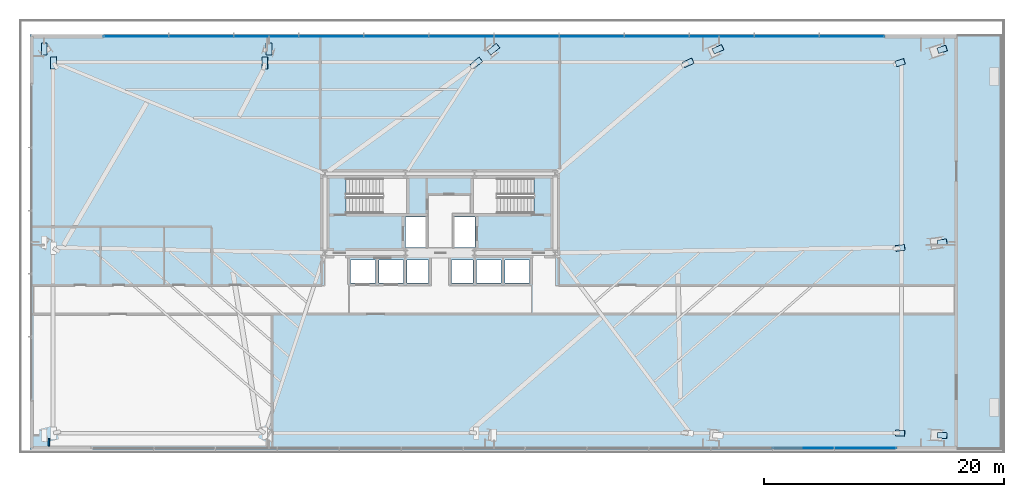
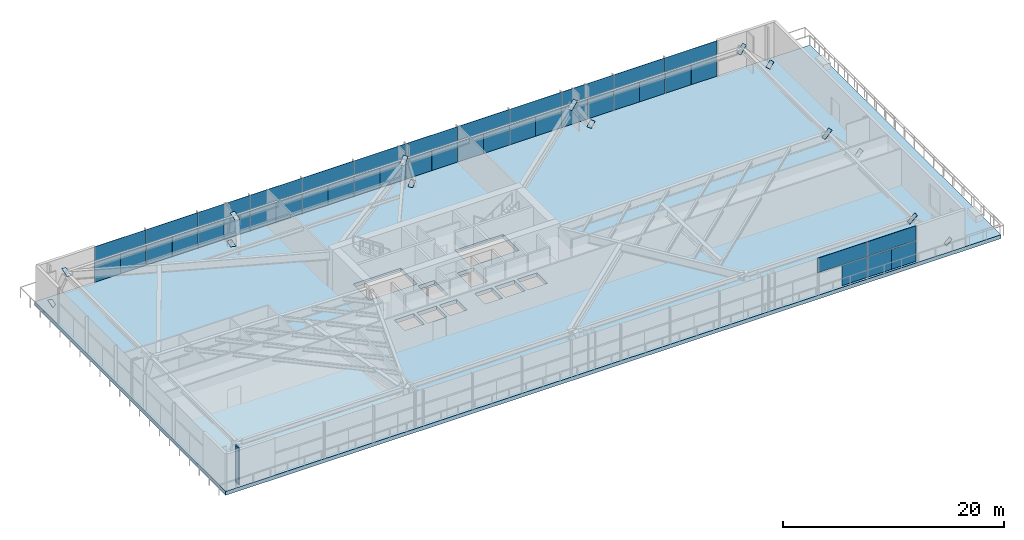
# One storey, part 24 of 36: 55 plates, 1 slab, 1 wall, 2 elements without a shape of their own.
"""IFC4 building model written with IfcOpenShell, lengths in metres."""

import ifcopenshell
import ifcopenshell.guid

model = None  # the IFC model being written
_history = None  # IfcOwnerHistory: only IFC2X3 demands one
_inside = {}  # id of a spatial element -> (the spatial element, [elements in it])
_under = {}  # id of a project, library or spatial element -> (it, [spatial elements below it])
_declared = {}  # id of a project -> (the project, [libraries it declares])
_typed = {}  # id of a type object -> (the type object, [elements of that type])
_made_of = {}  # id of a material, layer set ... -> (it, [elements and type objects made of it])


def new_model(schema):
    """Start an empty IFC model of exactly this schema.

    Asked for "IFC4X3", IfcOpenShell would pick the latest addendum, in which some entities
    have other attributes; the version numbers below select the first issue.
    IFC2X3 requires an IfcOwnerHistory on every rooted entity: one is made here for all.
    """
    global model, _history
    if schema == "IFC4X3":
        model = ifcopenshell.file(schema_version=(4, 3, 0, 0))
    else:
        model = ifcopenshell.file(schema=schema)
    _inside.clear()
    _under.clear()
    _declared.clear()
    _typed.clear()
    _made_of.clear()
    _history = None
    if model.schema == "IFC2X3":
        org = make("IfcOrganization", Name="unknown")
        user = make(
            "IfcPersonAndOrganization",
            ThePerson=make("IfcPerson", FamilyName="unknown"),
            TheOrganization=org,
        )
        app = make(
            "IfcApplication",
            ApplicationDeveloper=org,
            Version="unknown",
            ApplicationFullName="unknown",
            ApplicationIdentifier="unknown",
        )
        _history = make(
            "IfcOwnerHistory",
            OwningUser=user,
            OwningApplication=app,
            ChangeAction="ADDED",
            CreationDate=0,
        )
    return model


def make(cls, **values):
    """One entity of the class cls with the attributes given. An attribute that is None is left unset."""
    return model.create_entity(
        cls, **{name: value for name, value in values.items() if value is not None}
    )


def rooted(cls, **values):
    """An entity with a GlobalId (a new one), such as an element, a storey or a relation."""
    return make(cls, GlobalId=ifcopenshell.guid.new(), OwnerHistory=_history, **values)


def si_unit(unit_type, name, prefix=None):
    """IfcSIUnit, for example si_unit("LENGTHUNIT", "METRE", prefix="MILLI")."""
    return make("IfcSIUnit", UnitType=unit_type, Prefix=prefix, Name=name)


def assignment(units):
    """IfcUnitAssignment: the units of a project."""
    return None if units is None else make("IfcUnitAssignment", Units=units)


def point(xyz):
    """IfcCartesianPoint."""
    return None if xyz is None else make("IfcCartesianPoint", Coordinates=xyz)


def direction(xyz):
    """IfcDirection."""
    return None if xyz is None else make("IfcDirection", DirectionRatios=xyz)


def frame(location, z_axis=None, x_axis=None):
    """IfcAxis2Placement3D, a coordinate frame: its origin and axes. An axis left out is left unset."""
    return make(
        "IfcAxis2Placement3D",
        Location=point(location),
        Axis=direction(z_axis),
        RefDirection=direction(x_axis),
    )


def frame_2d(location, x_axis=None):
    """IfcAxis2Placement2D, a coordinate frame in the plane: its origin and x axis."""
    return make(
        "IfcAxis2Placement2D", Location=point(location), RefDirection=direction(x_axis)
    )


def origin():
    """The frame at (0, 0, 0) with its axes left unset."""
    return frame((0.0, 0.0, 0.0))


def origin_2d():
    """The frame at (0, 0) in the plane with its x axis left unset."""
    return frame_2d((0.0, 0.0))


def place(relative_to, where):
    """IfcLocalPlacement: puts the frame where relative to a parent placement (None: the world)."""
    return make(
        "IfcLocalPlacement", PlacementRelTo=relative_to, RelativePlacement=where
    )


def context(
    kind, dimensions, precision=None, world=None, true_north=None, identifier=None
):
    """IfcGeometricRepresentationContext, for example the 3D "Model" context."""
    return make(
        "IfcGeometricRepresentationContext",
        ContextIdentifier=identifier,
        ContextType=kind,
        CoordinateSpaceDimension=dimensions,
        Precision=precision,
        WorldCoordinateSystem=world,
        TrueNorth=true_north,
    )


def subcontext(parent, identifier, kind, view, scale=None):
    """IfcGeometricRepresentationSubContext, for example "Body" below "Model"."""
    return make(
        "IfcGeometricRepresentationSubContext",
        ContextIdentifier=identifier,
        ContextType=kind,
        ParentContext=parent,
        TargetScale=scale,
        TargetView=view,
    )


def project(units=None, contexts=None):
    """IfcProject with its units and contexts."""
    return rooted(
        "IfcProject",
        Name="project",
        RepresentationContexts=contexts,
        UnitsInContext=assignment(units),
    )


def spatial(cls, under=None, at=None, **own):
    """A site, building, storey or space (cls), placed at a placement, below another one or the project."""
    s = rooted(cls, ObjectPlacement=at, **own)
    if under is not None:
        _under.setdefault(under.id(), (under, []))[1].append(s)
    return s


def polyline(points):
    """IfcPolyline through the points."""
    return make("IfcPolyline", Points=[point(p) for p in points])


def profile(cls, at=None, kind="AREA", **sizes):
    """A parametric profile (cls). Its sizes go by their IFC names, for example OverallWidth=200.0."""
    return make(cls, ProfileType=kind, Position=at, **sizes)


def rectangle(**sizes):
    """IfcRectangleProfileDef."""
    return profile("IfcRectangleProfileDef", **sizes)


def outline(outer, holes=None, kind="AREA"):
    """IfcArbitraryClosedProfileDef: a profile drawn as a closed curve; with holes, ...WithVoids."""
    if holes is None:
        return make("IfcArbitraryClosedProfileDef", ProfileType=kind, OuterCurve=outer)
    return make(
        "IfcArbitraryProfileDefWithVoids",
        ProfileType=kind,
        OuterCurve=outer,
        InnerCurves=holes,
    )


def extrude(swept, where, along, depth):
    """IfcExtrudedAreaSolid: the profile swept, set in the frame where, extruded along a direction by depth."""
    return make(
        "IfcExtrudedAreaSolid",
        SweptArea=swept,
        Position=where,
        ExtrudedDirection=direction(along),
        Depth=depth,
    )


def shape(context_of_items, identifier, shape_type, items):
    """IfcShapeRepresentation: the items that make up one representation, for example the "Body"."""
    return make(
        "IfcShapeRepresentation",
        ContextOfItems=context_of_items,
        RepresentationIdentifier=identifier,
        RepresentationType=shape_type,
        Items=items,
    )


def source(mapping_origin, context_of_items, identifier, shape_type, items):
    """IfcRepresentationMap: a shape defined once, which mapped items show again and again."""
    return make(
        "IfcRepresentationMap",
        MappingOrigin=mapping_origin,
        MappedRepresentation=shape(context_of_items, identifier, shape_type, items),
    )


def transform(
    local_origin,
    x_axis=None,
    y_axis=None,
    z_axis=None,
    scale=None,
    scale2=None,
    scale3=None,
    uniform=True,
):
    """IfcCartesianTransformationOperator3D, or its non-uniform kind. x_axis, y_axis, z_axis: its Axis1, 2, 3."""
    if uniform:
        return make(
            "IfcCartesianTransformationOperator3D",
            Axis1=direction(x_axis),
            Axis2=direction(y_axis),
            LocalOrigin=point(local_origin),
            Scale=scale,
            Axis3=direction(z_axis),
        )
    return make(
        "IfcCartesianTransformationOperator3DnonUniform",
        Axis1=direction(x_axis),
        Axis2=direction(y_axis),
        LocalOrigin=point(local_origin),
        Scale=scale,
        Axis3=direction(z_axis),
        Scale2=scale2,
        Scale3=scale3,
    )


def mapped(mapping_source, mapping_target):
    """IfcMappedItem: shows the shape of a source again, moved by a transform."""
    return make(
        "IfcMappedItem", MappingSource=mapping_source, MappingTarget=mapping_target
    )


def material(Name=None, Category=None):
    """IfcMaterial."""
    return make("IfcMaterial", Name=Name, Category=Category)


def layer(
    of_material, thickness, ventilated=None, Name=None, Category=None, Priority=None
):
    """IfcMaterialLayer: one layer of a wall or slab, of a material (None: an air gap)."""
    return make(
        "IfcMaterialLayer",
        Material=of_material,
        LayerThickness=thickness,
        IsVentilated=ventilated,
        Name=Name,
        Category=Category,
        Priority=Priority,
    )


def layer_set(layers, Name=None):
    """IfcMaterialLayerSet."""
    return make("IfcMaterialLayerSet", MaterialLayers=layers, LayerSetName=Name)


def made_of(thing, what):
    """Note that an element or type object is made of a material, layer set ...; save() writes the relation."""
    if what is not None:
        _made_of.setdefault(what.id(), (what, []))[1].append(thing)
    return thing


def type_object(cls, material=None, **own):
    """A type object (cls), such as IfcWallType, which elements share."""
    return made_of(rooted(cls, **own), material)


def type_shapes(of_type, sources):
    """Give a type object the sources (RepresentationMaps) that its elements show as mapped items."""
    of_type.RepresentationMaps = sources


def element(
    cls,
    number,
    at=None,
    inside=None,
    cuts=None,
    type_object=None,
    material=None,
    context=None,
    identifier="Body",
    shape_type=None,
    held_by="IfcProductDefinitionShape",
    body=None,
    shapes=None,
    **own,
):
    """One element of the class cls, such as IfcWall. Its Tag is "e" and its number.

    at: its placement. inside: the storey or other place that contains it. cuts: it is an
    opening in that element (IfcRelVoidsElement). A single representation is given by context,
    identifier, shape_type and body (its items); several are given by shapes. held_by: the class
    of the entity that holds the representations. save() writes the other relations.
    """
    e = rooted(cls, Tag="e%d" % number, ObjectPlacement=at, **own)
    if body is not None:
        shapes = [shape(context, identifier, shape_type, body)]
    if shapes is not None:
        e.Representation = make(held_by, Representations=shapes)
    if inside is not None:
        _inside.setdefault(inside.id(), (inside, []))[1].append(e)
    if cuts is not None:
        rooted(
            "IfcRelVoidsElement", RelatingBuildingElement=cuts, RelatedOpeningElement=e
        )
    if type_object is not None:
        _typed.setdefault(type_object.id(), (type_object, []))[1].append(e)
    return made_of(e, material)


def aggregate(whole, parts):
    """IfcRelAggregates: a whole, such as a stair, and the parts it consists of."""
    return rooted("IfcRelAggregates", RelatingObject=whole, RelatedObjects=parts)


def save(model, path):
    """Write the relations noted so far, then the file.

    IfcRelAggregates (storeys below a building ...), IfcRelContainedInSpatialStructure (elements
    in a storey), IfcRelDefinesByType, IfcRelAssociatesMaterial and IfcRelDeclares: one each for
    every whole, place, type object, material and project.
    """
    for whole, parts in _under.values():
        aggregate(whole, parts)
    for where, things in _inside.values():
        rooted(
            "IfcRelContainedInSpatialStructure",
            RelatedElements=things,
            RelatingStructure=where,
        )
    for kind, things in _typed.values():
        rooted("IfcRelDefinesByType", RelatedObjects=things, RelatingType=kind)
    for what, things in _made_of.values():
        rooted("IfcRelAssociatesMaterial", RelatedObjects=things, RelatingMaterial=what)
    for by, libraries in _declared.values():
        rooted("IfcRelDeclares", RelatingContext=by, RelatedDefinitions=libraries)
    model.write(path)


model = new_model("IFC4")

# Units and contexts
model_context = context("Model", 3, precision=1e-05, world=origin(), true_north=direction((0.0, 1.0)))
body_context = subcontext(model_context, "Body", "Model", "MODEL_VIEW")
ifc_project = project(units=[si_unit("LENGTHUNIT", "METRE"), si_unit("AREAUNIT", "SQUARE_METRE"), si_unit("VOLUMEUNIT", "CUBIC_METRE"), si_unit("PLANEANGLEUNIT", "RADIAN"), si_unit("MASSUNIT", "GRAM", prefix="KILO")], contexts=[model_context])

# Site, building, storey
site_placement = place(None, origin())
site = spatial("IfcSite", under=ifc_project, at=site_placement, CompositionType="ELEMENT")
building_placement = place(site_placement, origin())
building = spatial("IfcBuilding", under=site, at=building_placement, Name="Astriad Promenade Condominiums", CompositionType="ELEMENT")
storey_placement = place(building_placement, frame((0.0, 0.0, 5.0)))
storey = spatial("IfcBuildingStorey", under=building, at=storey_placement, Name="L01", CompositionType="ELEMENT", Elevation=5.0)

# Slab
ifc_material_1 = material(Name="Concrete C60/75", Category="concrete")
ifc_layer_1 = layer(ifc_material_1, 0.419921875)
ifc_layer_set_1 = layer_set([ifc_layer_1], Name="Concrete C60/75")
slab_type = type_object("IfcSlabType", Name="CONCRETE TRANSFER FLOOR SLAB 420", PredefinedType="FLOOR", material=ifc_layer_set_1)
slab_placement = place(storey_placement, frame((0.0, 0.0, -0.419921875)))
element("IfcSlab", 1, at=slab_placement, inside=storey, type_object=slab_type, Name="Structural Floor Slab (L01)", PredefinedType="FLOOR", context=body_context, shape_type="SweptSolid", body=[
    extrude(outline(polyline([(79.199951171875, 1.0), (82.85009765625, 1.0), (82.85009765625, 35.60009765625), (79.199951171875, 35.60009765625), (1.800048828125, 35.60009765625), (1.800048828125, 1.0), (79.199951171875, 1.0)]), holes=[polyline([(28.175048828125, 20.699951171875), (33.175048828125, 20.699951171875), (33.175048828125, 23.60009765625), (28.175048828125, 23.60009765625), (28.175048828125, 20.699951171875)]), polyline([(38.824951171875, 20.699951171875), (43.824951171875, 20.699951171875), (43.824951171875, 23.60009765625), (38.824951171875, 23.60009765625), (38.824951171875, 20.699951171875)]), polyline([(33.10009765625, 17.85009765625), (34.800048828125, 17.85009765625), (34.800048828125, 20.39990234375), (33.10009765625, 20.39990234375), (33.10009765625, 17.85009765625)]), polyline([(37.199951171875, 17.85009765625), (38.89990234375, 17.85009765625), (38.89990234375, 20.39990234375), (37.199951171875, 20.39990234375), (37.199951171875, 17.85009765625)]), polyline([(28.550048828125, 14.89990234375), (30.60009765625, 14.89990234375), (30.60009765625, 16.800048828125), (28.550048828125, 16.800048828125), (28.550048828125, 14.89990234375)]), polyline([(30.89990234375, 14.89990234375), (32.949951171875, 14.89990234375), (32.949951171875, 16.800048828125), (30.89990234375, 16.800048828125), (30.89990234375, 14.89990234375)]), polyline([(33.25, 14.89990234375), (35.050048828125, 14.89990234375), (35.050048828125, 16.800048828125), (33.25, 16.800048828125), (33.25, 14.89990234375)]), polyline([(36.949951171875, 14.89990234375), (38.75, 14.89990234375), (38.75, 16.800048828125), (36.949951171875, 16.800048828125), (36.949951171875, 14.89990234375)]), polyline([(39.050048828125, 14.89990234375), (41.10009765625, 14.89990234375), (41.10009765625, 16.800048828125), (39.050048828125, 16.800048828125), (39.050048828125, 14.89990234375)]), polyline([(41.39990234375, 14.89990234375), (43.449951171875, 14.89990234375), (43.449951171875, 16.800048828125), (41.39990234375, 16.800048828125), (41.39990234375, 14.89990234375)])]), origin(), (0.0, 0.0, 1.0), 0.419921875),
])

# Plates
ifc_material_2 = material(Name="Steel ASTM A572 Grade 50", Category="steel")
ifc_layer_2 = layer(ifc_material_2, 0.02490234375)
ifc_layer_set_2 = layer_set([ifc_layer_2], Name="Steel ASTM A572 Grade 50")
plate_type_1 = type_object("IfcPlateType", Name="STEEL HOLLOW SECTION END CAP PLATE 30", PredefinedType="USERDEFINED", material=ifc_layer_set_2)
shared_shape_1 = source(origin(), body_context, "Body", "SweptSolid", [
    extrude(rectangle(XDim=0.477294921875, YDim=1.05126953125, at=origin_2d()), origin(), (0.0, 0.0, 1.0), 0.02490234375),
])
type_shapes(plate_type_1, [shared_shape_1])
for number, where, z_axis, x_axis, name in (
    (2, (77.886962890625, 2.18701171875, 0.14306640625), (-0.681120723954, 0.035848458998, 0.73129299695), (-0.052558832892, -0.998617829345, 0.0), "Hollow Section End Cap Plate COL-PC05-L01-A"),
    (3, (74.3701171875, 2.3720703125, 3.9189453125), (-0.681120723954, 0.035848458998, 0.73129299695), (-0.052558832892, -0.998617829345, 0.0), "Hollow Section End Cap Plate COL-PC05-L01-B"),
    (4, (2.9921875, 34.40185546875, 0.061279296875), (0.184891112047, -0.277288444071, 0.942828932241), (1.0, 0.0, 0.0), "Hollow Section End Cap Plate COL-PC06-L01-A"),
    (5, (3.763427734375, 33.244873046875, 3.9951171875), (0.184891112047, -0.277288444071, 0.942828932241), (1.0, 0.0, 0.0), "Hollow Section End Cap Plate COL-PC06-L01-B"),
    (6, (21.735595703125, 34.404541015625, 0.05224609375), (-0.082035041965, -0.281207359879, 0.956134233588), (1.0, 0.0, 0.0), "Hollow Section End Cap Plate COL-PC07-L01-A"),
    (7, (21.396484375, 33.242431640625, 4.00390625), (-0.082035041965, -0.281207359879, 0.956134233588), (1.0, 0.0, 0.0), "Hollow Section End Cap Plate COL-PC07-L01-B"),
    (8, (40.4697265625, 34.395751953125, 0.08251953125), (-0.332598928853, -0.266107198882, 0.9047457716), (0.62473520899, -0.7808366786, 0.0), "Hollow Section End Cap Plate COL-PC08-L01-A"),
    (9, (39.03857421875, 33.2509765625, 3.974853515625), (-0.332598928853, -0.266107198882, 0.9047457716), (0.62473520899, -0.7808366786, 0.0), "Hollow Section End Cap Plate COL-PC08-L01-B"),
    (10, (59.182861328125, 34.385009765625, 0.11865234375), (-0.52884477916, -0.239472840072, 0.814233356246), (0.412501776896, -0.910956795934, 0.0), "Hollow Section End Cap Plate COL-PC09-L01-A"),
    (11, (56.7001953125, 33.2607421875, 3.94091796875), (-0.52884477916, -0.239472840072, 0.814233356246), (0.412501776896, -0.910956795934, 0.0), "Hollow Section End Cap Plate COL-PC09-L01-B"),
    (12, (77.883056640625, 34.376708984375, 0.147216796875), (-0.666293024901, -0.210398283969, 0.715392316894), (0.301118302238, -0.953586791046, 0.0), "Hollow Section End Cap Plate COL-PC10-L01-A"),
    (13, (74.37353515625, 33.2685546875, 3.915283203125), (-0.666293024901, -0.210398283969, 0.715392316894), (0.301118302238, -0.953586791046, 0.0), "Hollow Section End Cap Plate COL-PC10-L01-B"),
    (14, (77.886474609375, 18.282470703125, 0.1435546875), (-0.678827137004, -0.089325487001, 0.728844754004), (0.130463308804, -0.991453138104, 0.0), "Hollow Section End Cap Plate COL-PC12-L01-A"),
    (15, (74.37060546875, 17.81982421875, 3.91845703125), (-0.678827137004, -0.089325487001, 0.728844754004), (0.130463308804, -0.991453138104, 0.0), "Hollow Section End Cap Plate COL-PC12-L01-B"),
):
    element("IfcPlate", number, at=place(storey_placement, frame(where, z_axis=z_axis, x_axis=x_axis)), inside=storey, type_object=plate_type_1, Name=name, ObjectType="STIFFENER_PLATE", PredefinedType="USERDEFINED", context=body_context, shape_type="MappedRepresentation", body=[
        mapped(shared_shape_1, transform((0.0, 0.0, 0.0), scale=1.0)),
    ])

# Curtain wall, plates
ifc_material_3 = material(Name="Anodised aluminium Black Dark Glass Unitised", Category="aluminium")
curtain_wall_type = type_object("IfcCurtainWallType", Name="CW-POD-DARK", PredefinedType="USERDEFINED", material=ifc_material_3)
curtain_wall_1_placement = place(storey_placement, origin())
curtain_wall_1 = element("IfcCurtainWall", 16, at=curtain_wall_1_placement, inside=storey, type_object=curtain_wall_type, Name="CW-L01-N", ObjectType="UNITISED_CURTAIN_WALL", PredefinedType="USERDEFINED")
ifc_material_4 = material(Name="Dark Tinted Low-E Laminated Glass", Category="glass")
ifc_layer_3 = layer(ifc_material_4, 0.035888671875)
ifc_layer_set_3 = layer_set([ifc_layer_3], Name="Dark Tinted Low-E Laminated Glass")
plate_type_2 = type_object("IfcPlateType", Name="PNL-DARK-GLASS-36", PredefinedType="CURTAIN_PANEL", material=ifc_layer_set_3)
shared_shape_2 = source(origin(), body_context, "Body", "SweptSolid", [
    extrude(rectangle(XDim=2.700439453125, YDim=0.035888671875, at=origin_2d()), origin(), (0.0, 0.0, 1.0), 2.22998046875),
])
plate_1_placement = place(storey_placement, frame((9.306396484375, 35.449951171875, 0.080078125), z_axis=(0.0, 0.0, 1.0), x_axis=(1.0, 0.0, 0.0)))
plate_1 = element("IfcPlate", 17, at=plate_1_placement, type_object=plate_type_2, Name="CW-L01-N-PNL-00-VL", PredefinedType="CURTAIN_PANEL", context=body_context, shape_type="MappedRepresentation", body=[
    mapped(shared_shape_2, transform((0.0, 0.0, 0.0), scale=1.0)),
])
plate_2_placement = place(storey_placement, frame((12.018798828125, 35.449951171875, 0.080078125), z_axis=(0.0, 0.0, 1.0), x_axis=(1.0, 0.0, 0.0)))
plate_2 = element("IfcPlate", 18, at=plate_2_placement, type_object=plate_type_2, Name="CW-L01-N-PNL-00-VR", PredefinedType="CURTAIN_PANEL", context=body_context, shape_type="MappedRepresentation", body=[
    mapped(shared_shape_2, transform((0.0, 0.0, 0.0), scale=1.0)),
])
plate_3_placement = place(storey_placement, frame((14.731201171875, 35.449951171875, 0.080078125), z_axis=(0.0, 0.0, 1.0), x_axis=(1.0, 0.0, 0.0)))
plate_3 = element("IfcPlate", 19, at=plate_3_placement, type_object=plate_type_2, Name="CW-L01-N-PNL-01-VL", PredefinedType="CURTAIN_PANEL", context=body_context, shape_type="MappedRepresentation", body=[
    mapped(shared_shape_2, transform((0.0, 0.0, 0.0), scale=1.0)),
])
plate_4_placement = place(storey_placement, frame((17.44384765625, 35.449951171875, 0.080078125), z_axis=(0.0, 0.0, 1.0), x_axis=(1.0, 0.0, 0.0)))
plate_4 = element("IfcPlate", 20, at=plate_4_placement, type_object=plate_type_2, Name="CW-L01-N-PNL-01-VR", PredefinedType="CURTAIN_PANEL", context=body_context, shape_type="MappedRepresentation", body=[
    mapped(shared_shape_2, transform((0.0, 0.0, 0.0), scale=1.0)),
])
plate_5_placement = place(storey_placement, frame((20.15625, 35.449951171875, 0.080078125), z_axis=(0.0, 0.0, 1.0), x_axis=(1.0, 0.0, 0.0)))
plate_5 = element("IfcPlate", 21, at=plate_5_placement, type_object=plate_type_2, Name="CW-L01-N-PNL-02-VL", PredefinedType="CURTAIN_PANEL", context=body_context, shape_type="MappedRepresentation", body=[
    mapped(shared_shape_2, transform((0.0, 0.0, 0.0), scale=1.0)),
])
plate_6_placement = place(storey_placement, frame((22.868896484375, 35.449951171875, 0.080078125), z_axis=(0.0, 0.0, 1.0), x_axis=(1.0, 0.0, 0.0)))
plate_6 = element("IfcPlate", 22, at=plate_6_placement, type_object=plate_type_2, Name="CW-L01-N-PNL-02-VR", PredefinedType="CURTAIN_PANEL", context=body_context, shape_type="MappedRepresentation", body=[
    mapped(shared_shape_2, transform((0.0, 0.0, 0.0), scale=1.0)),
])
plate_7_placement = place(storey_placement, frame((25.581298828125, 35.449951171875, 0.080078125), z_axis=(0.0, 0.0, 1.0), x_axis=(1.0, 0.0, 0.0)))
plate_7 = element("IfcPlate", 23, at=plate_7_placement, type_object=plate_type_2, Name="CW-L01-N-PNL-03-VL", PredefinedType="CURTAIN_PANEL", context=body_context, shape_type="MappedRepresentation", body=[
    mapped(shared_shape_2, transform((0.0, 0.0, 0.0), scale=1.0)),
])
plate_8_placement = place(storey_placement, frame((28.293701171875, 35.449951171875, 0.080078125), z_axis=(0.0, 0.0, 1.0), x_axis=(1.0, 0.0, 0.0)))
plate_8 = element("IfcPlate", 24, at=plate_8_placement, type_object=plate_type_2, Name="CW-L01-N-PNL-03-VR", PredefinedType="CURTAIN_PANEL", context=body_context, shape_type="MappedRepresentation", body=[
    mapped(shared_shape_2, transform((0.0, 0.0, 0.0), scale=1.0)),
])
plate_9_placement = place(storey_placement, frame((31.00634765625, 35.449951171875, 0.080078125), z_axis=(0.0, 0.0, 1.0), x_axis=(1.0, 0.0, 0.0)))
plate_9 = element("IfcPlate", 25, at=plate_9_placement, type_object=plate_type_2, Name="CW-L01-N-PNL-04-VL", PredefinedType="CURTAIN_PANEL", context=body_context, shape_type="MappedRepresentation", body=[
    mapped(shared_shape_2, transform((0.0, 0.0, 0.0), scale=1.0)),
])
plate_10_placement = place(storey_placement, frame((33.71875, 35.449951171875, 0.080078125), z_axis=(0.0, 0.0, 1.0), x_axis=(1.0, 0.0, 0.0)))
plate_10 = element("IfcPlate", 26, at=plate_10_placement, type_object=plate_type_2, Name="CW-L01-N-PNL-04-VR", PredefinedType="CURTAIN_PANEL", context=body_context, shape_type="MappedRepresentation", body=[
    mapped(shared_shape_2, transform((0.0, 0.0, 0.0), scale=1.0)),
])
plate_11_placement = place(storey_placement, frame((36.431396484375, 35.449951171875, 0.080078125), z_axis=(0.0, 0.0, 1.0), x_axis=(1.0, 0.0, 0.0)))
plate_11 = element("IfcPlate", 27, at=plate_11_placement, type_object=plate_type_2, Name="CW-L01-N-PNL-05-VL", PredefinedType="CURTAIN_PANEL", context=body_context, shape_type="MappedRepresentation", body=[
    mapped(shared_shape_2, transform((0.0, 0.0, 0.0), scale=1.0)),
])
plate_12_placement = place(storey_placement, frame((39.143798828125, 35.449951171875, 0.080078125), z_axis=(0.0, 0.0, 1.0), x_axis=(1.0, 0.0, 0.0)))
plate_12 = element("IfcPlate", 28, at=plate_12_placement, type_object=plate_type_2, Name="CW-L01-N-PNL-05-VR", PredefinedType="CURTAIN_PANEL", context=body_context, shape_type="MappedRepresentation", body=[
    mapped(shared_shape_2, transform((0.0, 0.0, 0.0), scale=1.0)),
])
plate_13_placement = place(storey_placement, frame((41.856201171875, 35.449951171875, 0.080078125), z_axis=(0.0, 0.0, 1.0), x_axis=(1.0, 0.0, 0.0)))
plate_13 = element("IfcPlate", 29, at=plate_13_placement, type_object=plate_type_2, Name="CW-L01-N-PNL-06-VL", PredefinedType="CURTAIN_PANEL", context=body_context, shape_type="MappedRepresentation", body=[
    mapped(shared_shape_2, transform((0.0, 0.0, 0.0), scale=1.0)),
])
plate_14_placement = place(storey_placement, frame((44.568603515625, 35.449951171875, 0.080078125), z_axis=(0.0, 0.0, 1.0), x_axis=(1.0, 0.0, 0.0)))
plate_14 = element("IfcPlate", 30, at=plate_14_placement, type_object=plate_type_2, Name="CW-L01-N-PNL-06-VR", PredefinedType="CURTAIN_PANEL", context=body_context, shape_type="MappedRepresentation", body=[
    mapped(shared_shape_2, transform((0.0, 0.0, 0.0), scale=1.0)),
])
plate_15_placement = place(storey_placement, frame((47.28125, 35.449951171875, 0.080078125), z_axis=(0.0, 0.0, 1.0), x_axis=(1.0, 0.0, 0.0)))
plate_15 = element("IfcPlate", 31, at=plate_15_placement, type_object=plate_type_2, Name="CW-L01-N-PNL-07-VL", PredefinedType="CURTAIN_PANEL", context=body_context, shape_type="MappedRepresentation", body=[
    mapped(shared_shape_2, transform((0.0, 0.0, 0.0), scale=1.0)),
])
plate_16_placement = place(storey_placement, frame((49.99365234375, 35.449951171875, 0.080078125), z_axis=(0.0, 0.0, 1.0), x_axis=(1.0, 0.0, 0.0)))
plate_16 = element("IfcPlate", 32, at=plate_16_placement, type_object=plate_type_2, Name="CW-L01-N-PNL-07-VR", PredefinedType="CURTAIN_PANEL", context=body_context, shape_type="MappedRepresentation", body=[
    mapped(shared_shape_2, transform((0.0, 0.0, 0.0), scale=1.0)),
])
plate_17_placement = place(storey_placement, frame((52.706298828125, 35.449951171875, 0.080078125), z_axis=(0.0, 0.0, 1.0), x_axis=(1.0, 0.0, 0.0)))
plate_17 = element("IfcPlate", 33, at=plate_17_placement, type_object=plate_type_2, Name="CW-L01-N-PNL-08-VL", PredefinedType="CURTAIN_PANEL", context=body_context, shape_type="MappedRepresentation", body=[
    mapped(shared_shape_2, transform((0.0, 0.0, 0.0), scale=1.0)),
])
plate_18_placement = place(storey_placement, frame((55.418701171875, 35.449951171875, 0.080078125), z_axis=(0.0, 0.0, 1.0), x_axis=(1.0, 0.0, 0.0)))
plate_18 = element("IfcPlate", 34, at=plate_18_placement, type_object=plate_type_2, Name="CW-L01-N-PNL-08-VR", PredefinedType="CURTAIN_PANEL", context=body_context, shape_type="MappedRepresentation", body=[
    mapped(shared_shape_2, transform((0.0, 0.0, 0.0), scale=1.0)),
])
plate_19_placement = place(storey_placement, frame((58.13134765625, 35.449951171875, 0.080078125), z_axis=(0.0, 0.0, 1.0), x_axis=(1.0, 0.0, 0.0)))
plate_19 = element("IfcPlate", 35, at=plate_19_placement, type_object=plate_type_2, Name="CW-L01-N-PNL-09-VL", PredefinedType="CURTAIN_PANEL", context=body_context, shape_type="MappedRepresentation", body=[
    mapped(shared_shape_2, transform((0.0, 0.0, 0.0), scale=1.0)),
])
plate_20_placement = place(storey_placement, frame((60.84375, 35.449951171875, 0.080078125), z_axis=(0.0, 0.0, 1.0), x_axis=(1.0, 0.0, 0.0)))
plate_20 = element("IfcPlate", 36, at=plate_20_placement, type_object=plate_type_2, Name="CW-L01-N-PNL-09-VR", PredefinedType="CURTAIN_PANEL", context=body_context, shape_type="MappedRepresentation", body=[
    mapped(shared_shape_2, transform((0.0, 0.0, 0.0), scale=1.0)),
])
plate_21_placement = place(storey_placement, frame((63.556396484375, 35.449951171875, 0.080078125), z_axis=(0.0, 0.0, 1.0), x_axis=(1.0, 0.0, 0.0)))
plate_21 = element("IfcPlate", 37, at=plate_21_placement, type_object=plate_type_2, Name="CW-L01-N-PNL-10-VL", PredefinedType="CURTAIN_PANEL", context=body_context, shape_type="MappedRepresentation", body=[
    mapped(shared_shape_2, transform((0.0, 0.0, 0.0), scale=1.0)),
])
plate_22_placement = place(storey_placement, frame((66.268798828125, 35.449951171875, 0.080078125), z_axis=(0.0, 0.0, 1.0), x_axis=(1.0, 0.0, 0.0)))
plate_22 = element("IfcPlate", 38, at=plate_22_placement, type_object=plate_type_2, Name="CW-L01-N-PNL-10-VR", PredefinedType="CURTAIN_PANEL", context=body_context, shape_type="MappedRepresentation", body=[
    mapped(shared_shape_2, transform((0.0, 0.0, 0.0), scale=1.0)),
])
plate_23_placement = place(storey_placement, frame((68.981201171875, 35.449951171875, 0.080078125), z_axis=(0.0, 0.0, 1.0), x_axis=(1.0, 0.0, 0.0)))
plate_23 = element("IfcPlate", 39, at=plate_23_placement, type_object=plate_type_2, Name="CW-L01-N-PNL-11-VL", PredefinedType="CURTAIN_PANEL", context=body_context, shape_type="MappedRepresentation", body=[
    mapped(shared_shape_2, transform((0.0, 0.0, 0.0), scale=1.0)),
])
plate_24_placement = place(storey_placement, frame((71.693603515625, 35.449951171875, 0.080078125), z_axis=(0.0, 0.0, 1.0), x_axis=(1.0, 0.0, 0.0)))
plate_24 = element("IfcPlate", 40, at=plate_24_placement, type_object=plate_type_2, Name="CW-L01-N-PNL-11-VR", PredefinedType="CURTAIN_PANEL", context=body_context, shape_type="MappedRepresentation", body=[
    mapped(shared_shape_2, transform((0.0, 0.0, 0.0), scale=1.0)),
])
shared_shape_3 = source(origin(), body_context, "Body", "SweptSolid", [
    extrude(rectangle(XDim=5.4130859375, YDim=0.035888671875, at=origin_2d()), origin(), (0.0, 0.0, 1.0), 1.610107421875),
])
plate_25_placement = place(storey_placement, frame((10.66259765625, 35.449951171875, 2.39013671875), z_axis=(0.0, 0.0, 1.0), x_axis=(1.0, 0.0, 0.0)))
plate_25 = element("IfcPlate", 41, at=plate_25_placement, type_object=plate_type_2, Name="CW-L01-N-PNL-00-S", PredefinedType="CURTAIN_PANEL", context=body_context, shape_type="MappedRepresentation", body=[
    mapped(shared_shape_3, transform((0.0, 0.0, 0.0), scale=1.0)),
])
plate_26_placement = place(storey_placement, frame((16.08740234375, 35.449951171875, 2.39013671875), z_axis=(0.0, 0.0, 1.0), x_axis=(1.0, 0.0, 0.0)))
plate_26 = element("IfcPlate", 42, at=plate_26_placement, type_object=plate_type_2, Name="CW-L01-N-PNL-01-S", PredefinedType="CURTAIN_PANEL", context=body_context, shape_type="MappedRepresentation", body=[
    mapped(shared_shape_3, transform((0.0, 0.0, 0.0), scale=1.0)),
])
plate_27_placement = place(storey_placement, frame((21.512451171875, 35.449951171875, 2.39013671875), z_axis=(0.0, 0.0, 1.0), x_axis=(1.0, 0.0, 0.0)))
plate_27 = element("IfcPlate", 43, at=plate_27_placement, type_object=plate_type_2, Name="CW-L01-N-PNL-02-S", PredefinedType="CURTAIN_PANEL", context=body_context, shape_type="MappedRepresentation", body=[
    mapped(shared_shape_3, transform((0.0, 0.0, 0.0), scale=1.0)),
])
plate_28_placement = place(storey_placement, frame((26.9375, 35.449951171875, 2.39013671875), z_axis=(0.0, 0.0, 1.0), x_axis=(1.0, 0.0, 0.0)))
plate_28 = element("IfcPlate", 44, at=plate_28_placement, type_object=plate_type_2, Name="CW-L01-N-PNL-03-S", PredefinedType="CURTAIN_PANEL", context=body_context, shape_type="MappedRepresentation", body=[
    mapped(shared_shape_3, transform((0.0, 0.0, 0.0), scale=1.0)),
])
plate_29_placement = place(storey_placement, frame((32.362548828125, 35.449951171875, 2.39013671875), z_axis=(0.0, 0.0, 1.0), x_axis=(1.0, 0.0, 0.0)))
plate_29 = element("IfcPlate", 45, at=plate_29_placement, type_object=plate_type_2, Name="CW-L01-N-PNL-04-S", PredefinedType="CURTAIN_PANEL", context=body_context, shape_type="MappedRepresentation", body=[
    mapped(shared_shape_3, transform((0.0, 0.0, 0.0), scale=1.0)),
])
plate_30_placement = place(storey_placement, frame((37.78759765625, 35.449951171875, 2.39013671875), z_axis=(0.0, 0.0, 1.0), x_axis=(1.0, 0.0, 0.0)))
plate_30 = element("IfcPlate", 46, at=plate_30_placement, type_object=plate_type_2, Name="CW-L01-N-PNL-05-S", PredefinedType="CURTAIN_PANEL", context=body_context, shape_type="MappedRepresentation", body=[
    mapped(shared_shape_3, transform((0.0, 0.0, 0.0), scale=1.0)),
])
plate_31_placement = place(storey_placement, frame((43.21240234375, 35.449951171875, 2.39013671875), z_axis=(0.0, 0.0, 1.0), x_axis=(1.0, 0.0, 0.0)))
plate_31 = element("IfcPlate", 47, at=plate_31_placement, type_object=plate_type_2, Name="CW-L01-N-PNL-06-S", PredefinedType="CURTAIN_PANEL", context=body_context, shape_type="MappedRepresentation", body=[
    mapped(shared_shape_3, transform((0.0, 0.0, 0.0), scale=1.0)),
])
plate_32_placement = place(storey_placement, frame((48.637451171875, 35.449951171875, 2.39013671875), z_axis=(0.0, 0.0, 1.0), x_axis=(1.0, 0.0, 0.0)))
plate_32 = element("IfcPlate", 48, at=plate_32_placement, type_object=plate_type_2, Name="CW-L01-N-PNL-07-S", PredefinedType="CURTAIN_PANEL", context=body_context, shape_type="MappedRepresentation", body=[
    mapped(shared_shape_3, transform((0.0, 0.0, 0.0), scale=1.0)),
])
plate_33_placement = place(storey_placement, frame((54.0625, 35.449951171875, 2.39013671875), z_axis=(0.0, 0.0, 1.0), x_axis=(1.0, 0.0, 0.0)))
plate_33 = element("IfcPlate", 49, at=plate_33_placement, type_object=plate_type_2, Name="CW-L01-N-PNL-08-S", PredefinedType="CURTAIN_PANEL", context=body_context, shape_type="MappedRepresentation", body=[
    mapped(shared_shape_3, transform((0.0, 0.0, 0.0), scale=1.0)),
])
plate_34_placement = place(storey_placement, frame((59.487548828125, 35.449951171875, 2.39013671875), z_axis=(0.0, 0.0, 1.0), x_axis=(1.0, 0.0, 0.0)))
plate_34 = element("IfcPlate", 50, at=plate_34_placement, type_object=plate_type_2, Name="CW-L01-N-PNL-09-S", PredefinedType="CURTAIN_PANEL", context=body_context, shape_type="MappedRepresentation", body=[
    mapped(shared_shape_3, transform((0.0, 0.0, 0.0), scale=1.0)),
])
plate_35_placement = place(storey_placement, frame((64.91259765625, 35.449951171875, 2.39013671875), z_axis=(0.0, 0.0, 1.0), x_axis=(1.0, 0.0, 0.0)))
plate_35 = element("IfcPlate", 51, at=plate_35_placement, type_object=plate_type_2, Name="CW-L01-N-PNL-10-S", PredefinedType="CURTAIN_PANEL", context=body_context, shape_type="MappedRepresentation", body=[
    mapped(shared_shape_3, transform((0.0, 0.0, 0.0), scale=1.0)),
])
plate_36_placement = place(storey_placement, frame((70.33740234375, 35.449951171875, 2.39013671875), z_axis=(0.0, 0.0, 1.0), x_axis=(1.0, 0.0, 0.0)))
plate_36 = element("IfcPlate", 52, at=plate_36_placement, type_object=plate_type_2, Name="CW-L01-N-PNL-11-S", PredefinedType="CURTAIN_PANEL", context=body_context, shape_type="MappedRepresentation", body=[
    mapped(shared_shape_3, transform((0.0, 0.0, 0.0), scale=1.0)),
])
aggregate(curtain_wall_1, [plate_1, plate_2, plate_25, plate_3, plate_4, plate_26, plate_5, plate_6, plate_27, plate_7, plate_8, plate_28, plate_9, plate_10, plate_29, plate_11, plate_12, plate_30, plate_13, plate_14, plate_31, plate_15, plate_16, plate_32, plate_17, plate_18, plate_33, plate_19, plate_20, plate_34, plate_21, plate_22, plate_35, plate_23, plate_24, plate_36])

curtain_wall_2_placement = place(storey_placement, origin())
curtain_wall_2 = element("IfcCurtainWall", 53, at=curtain_wall_2_placement, inside=storey, type_object=curtain_wall_type, Name="CW-L01-S", ObjectType="UNITISED_CURTAIN_WALL", PredefinedType="USERDEFINED")
shared_shape_4 = source(origin(), body_context, "Body", "SweptSolid", [
    extrude(rectangle(XDim=2.56884765625, YDim=0.035888671875, at=origin_2d()), origin(), (0.0, 0.0, 1.0), 2.22998046875),
])
plate_37_placement = place(storey_placement, frame((72.759521484375, 1.14990234375, 0.080078125), z_axis=(0.0, 0.0, 1.0), x_axis=(-1.0, 0.0, 0.0)))
plate_37 = element("IfcPlate", 54, at=plate_37_placement, type_object=plate_type_2, Name="CW-L01-S-PNL-00-VL", PredefinedType="CURTAIN_PANEL", context=body_context, shape_type="MappedRepresentation", body=[
    mapped(shared_shape_4, transform((0.0, 0.0, 0.0), scale=1.0)),
])
plate_38_placement = place(storey_placement, frame((70.178955078125, 1.14990234375, 0.080078125), z_axis=(0.0, 0.0, 1.0), x_axis=(-1.0, 0.0, 0.0)))
plate_38 = element("IfcPlate", 55, at=plate_38_placement, type_object=plate_type_2, Name="CW-L01-S-PNL-00-VR", PredefinedType="CURTAIN_PANEL", context=body_context, shape_type="MappedRepresentation", body=[
    mapped(shared_shape_4, transform((0.0, 0.0, 0.0), scale=1.0)),
])
plate_39_placement = place(storey_placement, frame((67.59814453125, 1.14990234375, 0.080078125), z_axis=(0.0, 0.0, 1.0), x_axis=(-1.0, 0.0, 0.0)))
plate_39 = element("IfcPlate", 56, at=plate_39_placement, type_object=plate_type_2, Name="CW-L01-S-PNL-01-VL", PredefinedType="CURTAIN_PANEL", context=body_context, shape_type="MappedRepresentation", body=[
    mapped(shared_shape_4, transform((0.0, 0.0, 0.0), scale=1.0)),
])
shared_shape_5 = source(origin(), body_context, "Body", "SweptSolid", [
    extrude(rectangle(XDim=5.1494140625, YDim=0.035888671875, at=origin_2d()), origin(), (0.0, 0.0, 1.0), 1.610107421875),
])
type_shapes(plate_type_2, [shared_shape_2, shared_shape_3, shared_shape_4, shared_shape_5])
plate_40_placement = place(storey_placement, frame((71.46923828125, 1.14990234375, 2.39013671875), z_axis=(0.0, 0.0, 1.0), x_axis=(-1.0, 0.0, 0.0)))
plate_40 = element("IfcPlate", 57, at=plate_40_placement, type_object=plate_type_2, Name="CW-L01-S-PNL-00-S", PredefinedType="CURTAIN_PANEL", context=body_context, shape_type="MappedRepresentation", body=[
    mapped(shared_shape_5, transform((0.0, 0.0, 0.0), scale=1.0)),
])
plate_41_placement = place(storey_placement, frame((66.3076171875, 1.14990234375, 2.39013671875), z_axis=(0.0, 0.0, 1.0), x_axis=(-1.0, 0.0, 0.0)))
plate_41 = element("IfcPlate", 58, at=plate_41_placement, type_object=plate_type_2, Name="CW-L01-S-PNL-01-S", PredefinedType="CURTAIN_PANEL", context=body_context, shape_type="MappedRepresentation", body=[
    mapped(shared_shape_5, transform((0.0, 0.0, 0.0), scale=1.0)),
])
aggregate(curtain_wall_2, [plate_37, plate_38, plate_40, plate_39, plate_41])

# Wall
ifc_material_5 = material(Name="Acoustic Metal-Stud Gypsum Partition")
ifc_layer_4 = layer(ifc_material_5, 0.1201171875)
ifc_layer_set_4 = layer_set([ifc_layer_4], Name="Acoustic Metal-Stud Gypsum Partition")
wall_type = type_object("IfcWallType", Name="WALL-PART-120", PredefinedType="PARTITIONING", material=ifc_layer_set_4)
wall_placement = place(storey_placement, frame((3.3798828125, 1.89990234375, 0.0), z_axis=(0.0, 0.0, 1.0), x_axis=(0.0, -1.0, 0.0)))
element("IfcWall", 59, at=wall_placement, inside=storey, type_object=wall_type, Name="PT-PIL-L01-PC01-8", PredefinedType="PARTITIONING", context=body_context, shape_type="SweptSolid", body=[
    extrude(rectangle(XDim=0.597900390625, YDim=0.1201171875, at=frame_2d((0.298828125, 0.0))), origin(), (0.0, 0.0, 1.0), 4.080078125),
])

save(model, "model.ifc")
